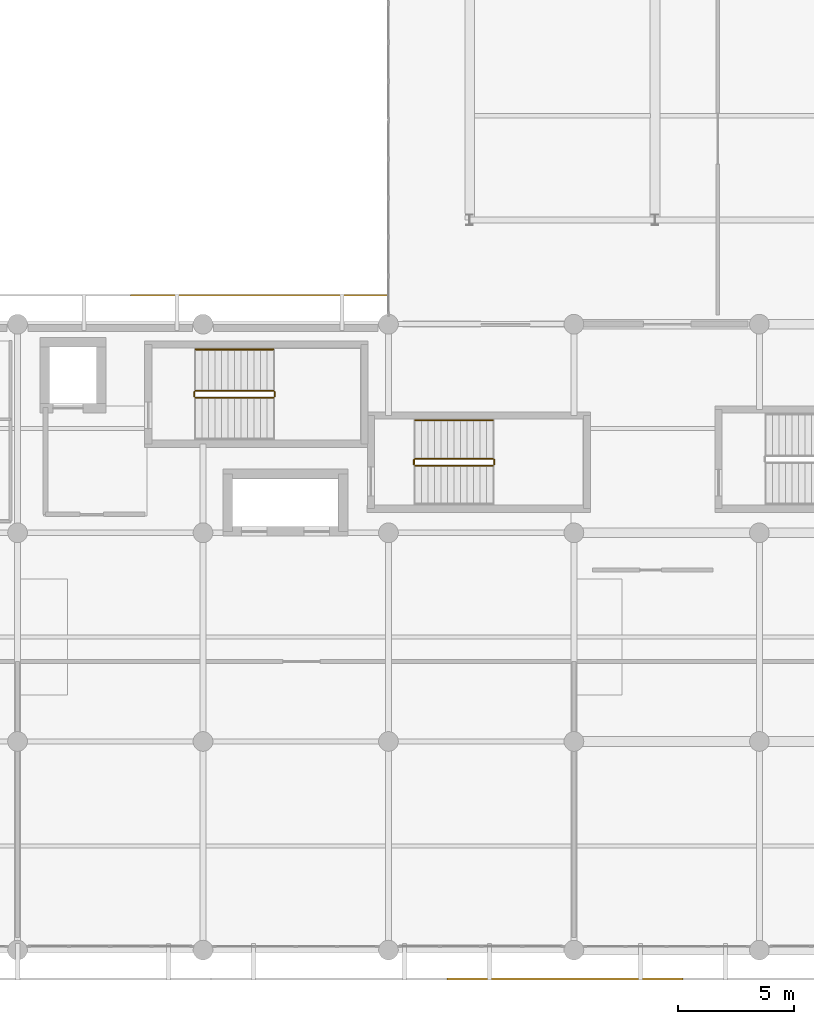
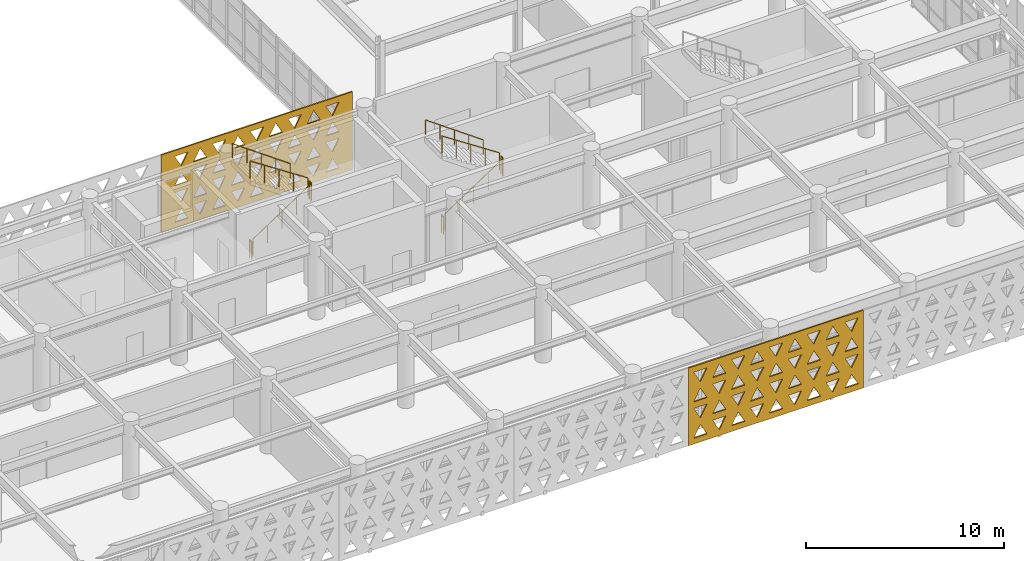
# One storey, part 48 of 54: 10 railings, 2 coverings.
"""IFC4 building model written with IfcOpenShell, lengths in metres."""

import ifcopenshell
import ifcopenshell.guid

model = None  # the IFC model being written
_history = None  # IfcOwnerHistory: only IFC2X3 demands one
_inside = {}  # id of a spatial element -> (the spatial element, [elements in it])
_under = {}  # id of a project, library or spatial element -> (it, [spatial elements below it])
_declared = {}  # id of a project -> (the project, [libraries it declares])
_typed = {}  # id of a type object -> (the type object, [elements of that type])
_made_of = {}  # id of a material, layer set ... -> (it, [elements and type objects made of it])


def new_model(schema):
    """Start an empty IFC model of exactly this schema.

    Asked for "IFC4X3", IfcOpenShell would pick the latest addendum, in which some entities
    have other attributes; the version numbers below select the first issue.
    IFC2X3 requires an IfcOwnerHistory on every rooted entity: one is made here for all.
    """
    global model, _history
    if schema == "IFC4X3":
        model = ifcopenshell.file(schema_version=(4, 3, 0, 0))
    else:
        model = ifcopenshell.file(schema=schema)
    _inside.clear()
    _under.clear()
    _declared.clear()
    _typed.clear()
    _made_of.clear()
    _history = None
    if model.schema == "IFC2X3":
        org = make("IfcOrganization", Name="unknown")
        user = make(
            "IfcPersonAndOrganization",
            ThePerson=make("IfcPerson", FamilyName="unknown"),
            TheOrganization=org,
        )
        app = make(
            "IfcApplication",
            ApplicationDeveloper=org,
            Version="unknown",
            ApplicationFullName="unknown",
            ApplicationIdentifier="unknown",
        )
        _history = make(
            "IfcOwnerHistory",
            OwningUser=user,
            OwningApplication=app,
            ChangeAction="ADDED",
            CreationDate=0,
        )
    return model


def make(cls, **values):
    """One entity of the class cls with the attributes given. An attribute that is None is left unset."""
    return model.create_entity(
        cls, **{name: value for name, value in values.items() if value is not None}
    )


def rooted(cls, **values):
    """An entity with a GlobalId (a new one), such as an element, a storey or a relation."""
    return make(cls, GlobalId=ifcopenshell.guid.new(), OwnerHistory=_history, **values)


def si_unit(unit_type, name, prefix=None):
    """IfcSIUnit, for example si_unit("LENGTHUNIT", "METRE", prefix="MILLI")."""
    return make("IfcSIUnit", UnitType=unit_type, Prefix=prefix, Name=name)


def assignment(units):
    """IfcUnitAssignment: the units of a project."""
    return None if units is None else make("IfcUnitAssignment", Units=units)


def point(xyz):
    """IfcCartesianPoint."""
    return None if xyz is None else make("IfcCartesianPoint", Coordinates=xyz)


def direction(xyz):
    """IfcDirection."""
    return None if xyz is None else make("IfcDirection", DirectionRatios=xyz)


def frame(location, z_axis=None, x_axis=None):
    """IfcAxis2Placement3D, a coordinate frame: its origin and axes. An axis left out is left unset."""
    return make(
        "IfcAxis2Placement3D",
        Location=point(location),
        Axis=direction(z_axis),
        RefDirection=direction(x_axis),
    )


def frame_2d(location, x_axis=None):
    """IfcAxis2Placement2D, a coordinate frame in the plane: its origin and x axis."""
    return make(
        "IfcAxis2Placement2D", Location=point(location), RefDirection=direction(x_axis)
    )


def origin():
    """The frame at (0, 0, 0) with its axes left unset."""
    return frame((0.0, 0.0, 0.0))


def origin_2d():
    """The frame at (0, 0) in the plane with its x axis left unset."""
    return frame_2d((0.0, 0.0))


def place(relative_to, where):
    """IfcLocalPlacement: puts the frame where relative to a parent placement (None: the world)."""
    return make(
        "IfcLocalPlacement", PlacementRelTo=relative_to, RelativePlacement=where
    )


def context(
    kind, dimensions, precision=None, world=None, true_north=None, identifier=None
):
    """IfcGeometricRepresentationContext, for example the 3D "Model" context."""
    return make(
        "IfcGeometricRepresentationContext",
        ContextIdentifier=identifier,
        ContextType=kind,
        CoordinateSpaceDimension=dimensions,
        Precision=precision,
        WorldCoordinateSystem=world,
        TrueNorth=true_north,
    )


def subcontext(parent, identifier, kind, view, scale=None):
    """IfcGeometricRepresentationSubContext, for example "Body" below "Model"."""
    return make(
        "IfcGeometricRepresentationSubContext",
        ContextIdentifier=identifier,
        ContextType=kind,
        ParentContext=parent,
        TargetScale=scale,
        TargetView=view,
    )


def project(units=None, contexts=None):
    """IfcProject with its units and contexts."""
    return rooted(
        "IfcProject",
        Name="project",
        RepresentationContexts=contexts,
        UnitsInContext=assignment(units),
    )


def spatial(cls, under=None, at=None, **own):
    """A site, building, storey or space (cls), placed at a placement, below another one or the project."""
    s = rooted(cls, ObjectPlacement=at, **own)
    if under is not None:
        _under.setdefault(under.id(), (under, []))[1].append(s)
    return s


def polyline(points):
    """IfcPolyline through the points."""
    return make("IfcPolyline", Points=[point(p) for p in points])


def profile(cls, at=None, kind="AREA", **sizes):
    """A parametric profile (cls). Its sizes go by their IFC names, for example OverallWidth=200.0."""
    return make(cls, ProfileType=kind, Position=at, **sizes)


def circle(**sizes):
    """IfcCircleProfileDef."""
    return profile("IfcCircleProfileDef", **sizes)


def outline(outer, holes=None, kind="AREA"):
    """IfcArbitraryClosedProfileDef: a profile drawn as a closed curve; with holes, ...WithVoids."""
    if holes is None:
        return make("IfcArbitraryClosedProfileDef", ProfileType=kind, OuterCurve=outer)
    return make(
        "IfcArbitraryProfileDefWithVoids",
        ProfileType=kind,
        OuterCurve=outer,
        InnerCurves=holes,
    )


def extrude(swept, where, along, depth):
    """IfcExtrudedAreaSolid: the profile swept, set in the frame where, extruded along a direction by depth."""
    return make(
        "IfcExtrudedAreaSolid",
        SweptArea=swept,
        Position=where,
        ExtrudedDirection=direction(along),
        Depth=depth,
    )


def shape(context_of_items, identifier, shape_type, items):
    """IfcShapeRepresentation: the items that make up one representation, for example the "Body"."""
    return make(
        "IfcShapeRepresentation",
        ContextOfItems=context_of_items,
        RepresentationIdentifier=identifier,
        RepresentationType=shape_type,
        Items=items,
    )


def material(Name=None, Category=None):
    """IfcMaterial."""
    return make("IfcMaterial", Name=Name, Category=Category)


def layer(
    of_material, thickness, ventilated=None, Name=None, Category=None, Priority=None
):
    """IfcMaterialLayer: one layer of a wall or slab, of a material (None: an air gap)."""
    return make(
        "IfcMaterialLayer",
        Material=of_material,
        LayerThickness=thickness,
        IsVentilated=ventilated,
        Name=Name,
        Category=Category,
        Priority=Priority,
    )


def layer_set(layers, Name=None):
    """IfcMaterialLayerSet."""
    return make("IfcMaterialLayerSet", MaterialLayers=layers, LayerSetName=Name)


def made_of(thing, what):
    """Note that an element or type object is made of a material, layer set ...; save() writes the relation."""
    if what is not None:
        _made_of.setdefault(what.id(), (what, []))[1].append(thing)
    return thing


def type_object(cls, material=None, **own):
    """A type object (cls), such as IfcWallType, which elements share."""
    return made_of(rooted(cls, **own), material)


def element(
    cls,
    number,
    at=None,
    inside=None,
    cuts=None,
    type_object=None,
    material=None,
    context=None,
    identifier="Body",
    shape_type=None,
    held_by="IfcProductDefinitionShape",
    body=None,
    shapes=None,
    **own,
):
    """One element of the class cls, such as IfcWall. Its Tag is "e" and its number.

    at: its placement. inside: the storey or other place that contains it. cuts: it is an
    opening in that element (IfcRelVoidsElement). A single representation is given by context,
    identifier, shape_type and body (its items); several are given by shapes. held_by: the class
    of the entity that holds the representations. save() writes the other relations.
    """
    e = rooted(cls, Tag="e%d" % number, ObjectPlacement=at, **own)
    if body is not None:
        shapes = [shape(context, identifier, shape_type, body)]
    if shapes is not None:
        e.Representation = make(held_by, Representations=shapes)
    if inside is not None:
        _inside.setdefault(inside.id(), (inside, []))[1].append(e)
    if cuts is not None:
        rooted(
            "IfcRelVoidsElement", RelatingBuildingElement=cuts, RelatedOpeningElement=e
        )
    if type_object is not None:
        _typed.setdefault(type_object.id(), (type_object, []))[1].append(e)
    return made_of(e, material)


def aggregate(whole, parts):
    """IfcRelAggregates: a whole, such as a stair, and the parts it consists of."""
    return rooted("IfcRelAggregates", RelatingObject=whole, RelatedObjects=parts)


def save(model, path):
    """Write the relations noted so far, then the file.

    IfcRelAggregates (storeys below a building ...), IfcRelContainedInSpatialStructure (elements
    in a storey), IfcRelDefinesByType, IfcRelAssociatesMaterial and IfcRelDeclares: one each for
    every whole, place, type object, material and project.
    """
    for whole, parts in _under.values():
        aggregate(whole, parts)
    for where, things in _inside.values():
        rooted(
            "IfcRelContainedInSpatialStructure",
            RelatedElements=things,
            RelatingStructure=where,
        )
    for kind, things in _typed.values():
        rooted("IfcRelDefinesByType", RelatedObjects=things, RelatingType=kind)
    for what, things in _made_of.values():
        rooted("IfcRelAssociatesMaterial", RelatedObjects=things, RelatingMaterial=what)
    for by, libraries in _declared.values():
        rooted("IfcRelDeclares", RelatingContext=by, RelatedDefinitions=libraries)
    model.write(path)


model = new_model("IFC4")

# Units and contexts
model_context = context("Model", 3, precision=1e-05, world=origin(), true_north=direction((0.0, 1.0)))
body_context = subcontext(model_context, "Body", "Model", "MODEL_VIEW")
ifc_project = project(units=[si_unit("LENGTHUNIT", "METRE"), si_unit("AREAUNIT", "SQUARE_METRE"), si_unit("VOLUMEUNIT", "CUBIC_METRE"), si_unit("PLANEANGLEUNIT", "RADIAN"), si_unit("MASSUNIT", "GRAM", prefix="KILO")], contexts=[model_context])

# Site, building, storey
site_placement = place(None, origin())
site = spatial("IfcSite", under=ifc_project, at=site_placement, CompositionType="ELEMENT")
building_placement = place(site_placement, origin())
building = spatial("IfcBuilding", under=site, at=building_placement, Name="Tlacozan Convention Centre", CompositionType="ELEMENT")
storey_placement = place(building_placement, frame((0.0, 0.0, 11.39990234375)))
storey = spatial("IfcBuildingStorey", under=building, at=storey_placement, Name="L02", CompositionType="ELEMENT", Elevation=11.39990234375)

# Railings
ifc_material_1 = material(Name="Architectural Painted Galvanised Steel Railing", Category="steel")
railing_type_1 = type_object("IfcRailingType", Name="Stair Wall Handrail 900", PredefinedType="HANDRAIL", material=ifc_material_1)
for number, where, name in (
    (1, (83.0400390625, 25.909912109375, 2.584716796875), "L02 ST-02 stair handrail 2"),
    (2, (92.510009765625, 22.85009765625, 2.584716796875), "L02 ST-15 stair handrail 2"),
):
    element("IfcRailing", number, at=place(storey_placement, frame(where)), inside=storey, type_object=railing_type_1, Name=name, PredefinedType="HANDRAIL", context=body_context, shape_type="SweptSolid", body=[
        extrude(circle(Radius=0.02392578125, at=origin_2d()), frame((0.0, 0.0, 0.8759765625), z_axis=(-0.813753445783, 0.0, 0.581210228297), x_axis=(0.0, -1.0, 0.0)), (0.0, 0.0, 1.0), 4.129150390625),
        extrude(circle(Radius=0.02099609375, at=origin_2d()), origin(), (0.0, 0.0, 1.0), 0.851806640625),
        extrude(circle(Radius=0.02099609375, at=origin_2d()), frame((-0.840087890625, 0.0, 0.60009765625)), (0.0, 0.0, 1.0), 0.851806640625),
        extrude(circle(Radius=0.02099609375, at=origin_2d()), frame((-1.68017578125, 0.0, 1.199951171875)), (0.0, 0.0, 1.0), 0.851806640625),
        extrude(circle(Radius=0.02099609375, at=origin_2d()), frame((-2.52001953125, 0.0, 1.7998046875)), (0.0, 0.0, 1.0), 0.851806640625),
        extrude(circle(Radius=0.02099609375, at=origin_2d()), frame((-3.360107421875, 0.0, 2.39990234375)), (0.0, 0.0, 1.0), 0.851806640625),
    ])
railing_type_2 = type_object("IfcRailingType", Name="Stair Well Guardrail 1100", PredefinedType="GUARDRAIL", material=ifc_material_1)
railing_1_placement = place(storey_placement, frame((79.679931640625, 23.830078125, 0.184814453125)))
element("IfcRailing", 3, at=railing_1_placement, inside=storey, type_object=railing_type_2, Name="L02 ST-02 stair guard 1", PredefinedType="GUARDRAIL", context=body_context, shape_type="SweptSolid", body=[
    extrude(circle(Radius=0.02392578125, at=origin_2d()), frame((0.0, 0.0, 1.076171875), z_axis=(0.834876476806, 0.0, 0.550437342915), x_axis=(0.0, 1.0, 0.0)), (0.0, 0.0, 1.0), 4.024658203125),
    extrude(circle(Radius=0.02099609375, at=origin_2d()), origin(), (0.0, 0.0, 1.0), 1.052001953125),
    extrude(circle(Radius=0.02099609375, at=origin_2d()), frame((0.840087890625, 0.0, 0.5537109375)), (0.0, 0.0, 1.0), 1.052001953125),
    extrude(circle(Radius=0.02099609375, at=origin_2d()), frame((1.68017578125, 0.0, 1.107666015625)), (0.0, 0.0, 1.0), 1.052001953125),
    extrude(circle(Radius=0.02099609375, at=origin_2d()), frame((2.52001953125, 0.0, 1.66162109375)), (0.0, 0.0, 1.0), 1.052001953125),
    extrude(circle(Radius=0.02099609375, at=origin_2d()), frame((3.360107421875, 0.0, 2.21533203125)), (0.0, 0.0, 1.0), 1.052001953125),
])
railing_2_placement = place(storey_placement, frame((83.090087890625, 23.8798828125, 2.400146484375)))
element("IfcRailing", 4, at=railing_2_placement, inside=storey, type_object=railing_type_2, Name="L02 ST-02 stair guard 2", PredefinedType="GUARDRAIL", context=body_context, shape_type="SweptSolid", body=[
    extrude(circle(Radius=0.02392578125, at=origin_2d()), frame((0.0, 0.0, 1.076171875), z_axis=(0.0, 1.0, 0.0), x_axis=(-1.0, 0.0, 0.0)), (0.0, 0.0, 1.0), 0.2001953125),
    extrude(circle(Radius=0.02099609375, at=origin_2d()), origin(), (0.0, 0.0, 1.0), 1.052001953125),
    extrude(circle(Radius=0.02099609375, at=origin_2d()), frame((0.0, 0.2001953125, 0.0)), (0.0, 0.0, 1.0), 1.052001953125),
])
railing_3_placement = place(storey_placement, frame((83.0400390625, 24.1298828125, 2.584716796875)))
element("IfcRailing", 5, at=railing_3_placement, inside=storey, type_object=railing_type_2, Name="L02 ST-02 stair guard 3", PredefinedType="GUARDRAIL", context=body_context, shape_type="SweptSolid", body=[
    extrude(circle(Radius=0.02392578125, at=origin_2d()), frame((0.0, 0.0, 1.076171875), z_axis=(-0.834876476806, 0.0, 0.550437342915), x_axis=(0.0, -1.0, 0.0)), (0.0, 0.0, 1.0), 4.024658203125),
    extrude(circle(Radius=0.02099609375, at=origin_2d()), origin(), (0.0, 0.0, 1.0), 1.052001953125),
    extrude(circle(Radius=0.02099609375, at=origin_2d()), frame((-0.840087890625, 0.0, 0.5537109375)), (0.0, 0.0, 1.0), 1.052001953125),
    extrude(circle(Radius=0.02099609375, at=origin_2d()), frame((-1.68017578125, 0.0, 1.107666015625)), (0.0, 0.0, 1.0), 1.052001953125),
    extrude(circle(Radius=0.02099609375, at=origin_2d()), frame((-2.52001953125, 0.0, 1.66162109375)), (0.0, 0.0, 1.0), 1.052001953125),
    extrude(circle(Radius=0.02099609375, at=origin_2d()), frame((-3.360107421875, 0.0, 2.21533203125)), (0.0, 0.0, 1.0), 1.052001953125),
])
railing_4_placement = place(storey_placement, frame((79.6298828125, 23.8798828125, 0.0)))
element("IfcRailing", 6, at=railing_4_placement, inside=storey, type_object=railing_type_2, Name="L02 ST-02 stair guard 4", PredefinedType="GUARDRAIL", context=body_context, shape_type="SweptSolid", body=[
    extrude(circle(Radius=0.02392578125, at=origin_2d()), frame((0.0, 0.0, 1.076171875), z_axis=(0.0, 1.0, 0.0), x_axis=(-1.0, 0.0, 0.0)), (0.0, 0.0, 1.0), 0.2001953125),
    extrude(circle(Radius=0.02099609375, at=origin_2d()), origin(), (0.0, 0.0, 1.0), 1.052001953125),
    extrude(circle(Radius=0.02099609375, at=origin_2d()), frame((0.0, 0.2001953125, 0.0)), (0.0, 0.0, 1.0), 1.052001953125),
])
railing_5_placement = place(storey_placement, frame((89.14990234375, 20.89990234375, 0.184814453125)))
element("IfcRailing", 7, at=railing_5_placement, inside=storey, type_object=railing_type_2, Name="L02 ST-15 stair guard 1", PredefinedType="GUARDRAIL", context=body_context, shape_type="SweptSolid", body=[
    extrude(circle(Radius=0.02392578125, at=origin_2d()), frame((0.0, 0.0, 1.076171875), z_axis=(0.834876476806, 0.0, 0.550437342915), x_axis=(0.0, 1.0, 0.0)), (0.0, 0.0, 1.0), 4.024658203125),
    extrude(circle(Radius=0.02099609375, at=origin_2d()), origin(), (0.0, 0.0, 1.0), 1.052001953125),
    extrude(circle(Radius=0.02099609375, at=origin_2d()), frame((0.840087890625, 0.0, 0.5537109375)), (0.0, 0.0, 1.0), 1.052001953125),
    extrude(circle(Radius=0.02099609375, at=origin_2d()), frame((1.68017578125, 0.0, 1.107666015625)), (0.0, 0.0, 1.0), 1.052001953125),
    extrude(circle(Radius=0.02099609375, at=origin_2d()), frame((2.52001953125, 0.0, 1.66162109375)), (0.0, 0.0, 1.0), 1.052001953125),
    extrude(circle(Radius=0.02099609375, at=origin_2d()), frame((3.360107421875, 0.0, 2.21533203125)), (0.0, 0.0, 1.0), 1.052001953125),
])
railing_6_placement = place(storey_placement, frame((92.56005859375, 20.949951171875, 2.400146484375)))
element("IfcRailing", 8, at=railing_6_placement, inside=storey, type_object=railing_type_2, Name="L02 ST-15 stair guard 2", PredefinedType="GUARDRAIL", context=body_context, shape_type="SweptSolid", body=[
    extrude(circle(Radius=0.02392578125, at=origin_2d()), frame((0.0, 0.0, 1.076171875), z_axis=(0.0, 1.0, 0.0), x_axis=(-1.0, 0.0, 0.0)), (0.0, 0.0, 1.0), 0.199951171875),
    extrude(circle(Radius=0.02099609375, at=origin_2d()), origin(), (0.0, 0.0, 1.0), 1.052001953125),
    extrude(circle(Radius=0.02099609375, at=origin_2d()), frame((0.0, 0.199951171875, 0.0)), (0.0, 0.0, 1.0), 1.052001953125),
])
railing_7_placement = place(storey_placement, frame((92.510009765625, 21.199951171875, 2.584716796875)))
element("IfcRailing", 9, at=railing_7_placement, inside=storey, type_object=railing_type_2, Name="L02 ST-15 stair guard 3", PredefinedType="GUARDRAIL", context=body_context, shape_type="SweptSolid", body=[
    extrude(circle(Radius=0.02392578125, at=origin_2d()), frame((0.0, 0.0, 1.076171875), z_axis=(-0.834876476806, 0.0, 0.550437342915), x_axis=(0.0, -1.0, 0.0)), (0.0, 0.0, 1.0), 4.024658203125),
    extrude(circle(Radius=0.02099609375, at=origin_2d()), origin(), (0.0, 0.0, 1.0), 1.052001953125),
    extrude(circle(Radius=0.02099609375, at=origin_2d()), frame((-0.840087890625, 0.0, 0.5537109375)), (0.0, 0.0, 1.0), 1.052001953125),
    extrude(circle(Radius=0.02099609375, at=origin_2d()), frame((-1.68017578125, 0.0, 1.107666015625)), (0.0, 0.0, 1.0), 1.052001953125),
    extrude(circle(Radius=0.02099609375, at=origin_2d()), frame((-2.52001953125, 0.0, 1.66162109375)), (0.0, 0.0, 1.0), 1.052001953125),
    extrude(circle(Radius=0.02099609375, at=origin_2d()), frame((-3.360107421875, 0.0, 2.21533203125)), (0.0, 0.0, 1.0), 1.052001953125),
])
railing_8_placement = place(storey_placement, frame((89.10009765625, 20.949951171875, 0.0)))
element("IfcRailing", 10, at=railing_8_placement, inside=storey, type_object=railing_type_2, Name="L02 ST-15 stair guard 4", PredefinedType="GUARDRAIL", context=body_context, shape_type="SweptSolid", body=[
    extrude(circle(Radius=0.02392578125, at=origin_2d()), frame((0.0, 0.0, 1.076171875), z_axis=(0.0, 1.0, 0.0), x_axis=(-1.0, 0.0, 0.0)), (0.0, 0.0, 1.0), 0.199951171875),
    extrude(circle(Radius=0.02099609375, at=origin_2d()), origin(), (0.0, 0.0, 1.0), 1.052001953125),
    extrude(circle(Radius=0.02099609375, at=origin_2d()), frame((0.0, 0.199951171875, 0.0)), (0.0, 0.0, 1.0), 1.052001953125),
])

# Coverings
ifc_material_2 = material(Name="Toluca Fired Terracotta Masonry Solar Screen", Category="masonry")
ifc_layer = layer(ifc_material_2, 0.080078125)
ifc_layer_set = layer_set([ifc_layer], Name="Toluca Fired Terracotta Masonry Solar Screen")
covering_type = type_object("IfcCoveringType", Name="Terracotta Triangle Solar Screen 80", PredefinedType="USERDEFINED", material=ifc_layer_set)
covering_1_placement = place(storey_placement, frame((90.527099609375, -1.25, -0.02978515625), z_axis=(0.0, 0.0, 1.0), x_axis=(1.0, 0.0, 0.0)))
element("IfcCovering", 11, at=covering_1_placement, inside=storey, type_object=covering_type, Name="L02 Terracotta Triangle Screen 34", ObjectType="SCREEN", PredefinedType="USERDEFINED", context=body_context, shape_type="SweptSolid", body=[
    extrude(outline(polyline([(0.0, 0.0), (10.1708984375, 0.0), (10.1708984375, 4.77978515625), (0.0, 4.77978515625), (0.0, 0.0)]), holes=[polyline([(0.29931640625, 0.360107421875), (1.071533203125, 0.360107421875), (0.685546875, 1.074951171875), (0.29931640625, 0.360107421875)]), polyline([(1.3994140625, 1.074951171875), (2.17138671875, 1.074951171875), (1.785400390625, 0.360107421875), (1.3994140625, 1.074951171875)]), polyline([(2.49951171875, 0.360107421875), (3.271484375, 0.360107421875), (2.885498046875, 1.074951171875), (2.49951171875, 0.360107421875)]), polyline([(3.599365234375, 1.074951171875), (4.37158203125, 1.074951171875), (3.9853515625, 0.360107421875), (3.599365234375, 1.074951171875)]), polyline([(4.699462890625, 0.360107421875), (5.471435546875, 0.360107421875), (5.08544921875, 1.074951171875), (4.699462890625, 0.360107421875)]), polyline([(5.79931640625, 1.074951171875), (6.571533203125, 1.074951171875), (6.185546875, 0.360107421875), (5.79931640625, 1.074951171875)]), polyline([(6.8994140625, 0.360107421875), (7.67138671875, 0.360107421875), (7.285400390625, 1.074951171875), (6.8994140625, 0.360107421875)]), polyline([(7.99951171875, 1.074951171875), (8.771484375, 1.074951171875), (8.385498046875, 0.360107421875), (7.99951171875, 1.074951171875)]), polyline([(9.099365234375, 0.360107421875), (9.87158203125, 0.360107421875), (9.4853515625, 1.074951171875), (9.099365234375, 0.360107421875)]), polyline([(0.29931640625, 2.18994140625), (1.071533203125, 2.18994140625), (0.685546875, 1.47509765625), (0.29931640625, 2.18994140625)]), polyline([(1.3994140625, 1.47509765625), (2.17138671875, 1.47509765625), (1.785400390625, 2.18994140625), (1.3994140625, 1.47509765625)]), polyline([(2.49951171875, 2.18994140625), (3.271484375, 2.18994140625), (2.885498046875, 1.47509765625), (2.49951171875, 2.18994140625)]), polyline([(3.599365234375, 1.47509765625), (4.37158203125, 1.47509765625), (3.9853515625, 2.18994140625), (3.599365234375, 1.47509765625)]), polyline([(4.699462890625, 2.18994140625), (5.471435546875, 2.18994140625), (5.08544921875, 1.47509765625), (4.699462890625, 2.18994140625)]), polyline([(5.79931640625, 1.47509765625), (6.571533203125, 1.47509765625), (6.185546875, 2.18994140625), (5.79931640625, 1.47509765625)]), polyline([(6.8994140625, 2.18994140625), (7.67138671875, 2.18994140625), (7.285400390625, 1.47509765625), (6.8994140625, 2.18994140625)]), polyline([(7.99951171875, 1.47509765625), (8.771484375, 1.47509765625), (8.385498046875, 2.18994140625), (7.99951171875, 1.47509765625)]), polyline([(9.099365234375, 2.18994140625), (9.87158203125, 2.18994140625), (9.4853515625, 1.47509765625), (9.099365234375, 2.18994140625)]), polyline([(0.29931640625, 2.58984375), (1.071533203125, 2.58984375), (0.685546875, 3.3046875), (0.29931640625, 2.58984375)]), polyline([(1.3994140625, 3.3046875), (2.17138671875, 3.3046875), (1.785400390625, 2.58984375), (1.3994140625, 3.3046875)]), polyline([(2.49951171875, 2.58984375), (3.271484375, 2.58984375), (2.885498046875, 3.3046875), (2.49951171875, 2.58984375)]), polyline([(3.599365234375, 3.3046875), (4.37158203125, 3.3046875), (3.9853515625, 2.58984375), (3.599365234375, 3.3046875)]), polyline([(4.699462890625, 2.58984375), (5.471435546875, 2.58984375), (5.08544921875, 3.3046875), (4.699462890625, 2.58984375)]), polyline([(5.79931640625, 3.3046875), (6.571533203125, 3.3046875), (6.185546875, 2.58984375), (5.79931640625, 3.3046875)]), polyline([(6.8994140625, 2.58984375), (7.67138671875, 2.58984375), (7.285400390625, 3.3046875), (6.8994140625, 2.58984375)]), polyline([(7.99951171875, 3.3046875), (8.771484375, 3.3046875), (8.385498046875, 2.58984375), (7.99951171875, 3.3046875)]), polyline([(9.099365234375, 2.58984375), (9.87158203125, 2.58984375), (9.4853515625, 3.3046875), (9.099365234375, 2.58984375)]), polyline([(0.29931640625, 4.419677734375), (1.071533203125, 4.419677734375), (0.685546875, 3.704833984375), (0.29931640625, 4.419677734375)]), polyline([(1.3994140625, 3.704833984375), (2.17138671875, 3.704833984375), (1.785400390625, 4.419677734375), (1.3994140625, 3.704833984375)]), polyline([(2.49951171875, 4.419677734375), (3.271484375, 4.419677734375), (2.885498046875, 3.704833984375), (2.49951171875, 4.419677734375)]), polyline([(3.599365234375, 3.704833984375), (4.37158203125, 3.704833984375), (3.9853515625, 4.419677734375), (3.599365234375, 3.704833984375)]), polyline([(4.699462890625, 4.419677734375), (5.471435546875, 4.419677734375), (5.08544921875, 3.704833984375), (4.699462890625, 4.419677734375)]), polyline([(5.79931640625, 3.704833984375), (6.571533203125, 3.704833984375), (6.185546875, 4.419677734375), (5.79931640625, 3.704833984375)]), polyline([(6.8994140625, 4.419677734375), (7.67138671875, 4.419677734375), (7.285400390625, 3.704833984375), (6.8994140625, 4.419677734375)]), polyline([(7.99951171875, 3.704833984375), (8.771484375, 3.704833984375), (8.385498046875, 4.419677734375), (7.99951171875, 3.704833984375)]), polyline([(9.099365234375, 4.419677734375), (9.87158203125, 4.419677734375), (9.4853515625, 3.704833984375), (9.099365234375, 4.419677734375)])]), frame((0.0, 0.0400390625, 0.0), z_axis=(0.0, -1.0, 0.0), x_axis=(1.0, 0.0, 0.0)), (0.0, 0.0, 1.0), 0.080078125),
])
covering_2_placement = place(storey_placement, frame((76.870849609375, 28.25, -0.02978515625), z_axis=(0.0, 0.0, 1.0), x_axis=(1.0, 0.0, 0.0)))
element("IfcCovering", 12, at=covering_2_placement, inside=storey, type_object=covering_type, Name="L02 Terracotta Triangle Screen 50", ObjectType="SCREEN", PredefinedType="USERDEFINED", context=body_context, shape_type="SweptSolid", body=[
    extrude(outline(polyline([(0.0, 0.0), (11.127197265625, 0.0), (11.127197265625, 4.77978515625), (0.0, 4.77978515625), (0.0, 0.0)]), holes=[polyline([(0.777587890625, 0.360107421875), (1.549560546875, 0.360107421875), (1.16357421875, 1.074951171875), (0.777587890625, 0.360107421875)]), polyline([(1.877685546875, 1.074951171875), (2.649658203125, 1.074951171875), (2.263671875, 0.360107421875), (1.877685546875, 1.074951171875)]), polyline([(2.9775390625, 0.360107421875), (3.74951171875, 0.360107421875), (3.363525390625, 1.074951171875), (2.9775390625, 0.360107421875)]), polyline([(4.07763671875, 1.074951171875), (4.849609375, 1.074951171875), (4.463623046875, 0.360107421875), (4.07763671875, 1.074951171875)]), polyline([(5.177490234375, 0.360107421875), (5.94970703125, 0.360107421875), (5.5634765625, 1.074951171875), (5.177490234375, 0.360107421875)]), polyline([(6.277587890625, 1.074951171875), (7.049560546875, 1.074951171875), (6.66357421875, 0.360107421875), (6.277587890625, 1.074951171875)]), polyline([(7.377685546875, 0.360107421875), (8.149658203125, 0.360107421875), (7.763671875, 1.074951171875), (7.377685546875, 0.360107421875)]), polyline([(8.4775390625, 1.074951171875), (9.24951171875, 1.074951171875), (8.863525390625, 0.360107421875), (8.4775390625, 1.074951171875)]), polyline([(9.57763671875, 0.360107421875), (10.349609375, 0.360107421875), (9.963623046875, 1.074951171875), (9.57763671875, 0.360107421875)]), polyline([(0.777587890625, 2.18994140625), (1.549560546875, 2.18994140625), (1.16357421875, 1.47509765625), (0.777587890625, 2.18994140625)]), polyline([(1.877685546875, 1.47509765625), (2.649658203125, 1.47509765625), (2.263671875, 2.18994140625), (1.877685546875, 1.47509765625)]), polyline([(2.9775390625, 2.18994140625), (3.74951171875, 2.18994140625), (3.363525390625, 1.47509765625), (2.9775390625, 2.18994140625)]), polyline([(4.07763671875, 1.47509765625), (4.849609375, 1.47509765625), (4.463623046875, 2.18994140625), (4.07763671875, 1.47509765625)]), polyline([(5.177490234375, 2.18994140625), (5.94970703125, 2.18994140625), (5.5634765625, 1.47509765625), (5.177490234375, 2.18994140625)]), polyline([(6.277587890625, 1.47509765625), (7.049560546875, 1.47509765625), (6.66357421875, 2.18994140625), (6.277587890625, 1.47509765625)]), polyline([(7.377685546875, 2.18994140625), (8.149658203125, 2.18994140625), (7.763671875, 1.47509765625), (7.377685546875, 2.18994140625)]), polyline([(8.4775390625, 1.47509765625), (9.24951171875, 1.47509765625), (8.863525390625, 2.18994140625), (8.4775390625, 1.47509765625)]), polyline([(9.57763671875, 2.18994140625), (10.349609375, 2.18994140625), (9.963623046875, 1.47509765625), (9.57763671875, 2.18994140625)]), polyline([(0.777587890625, 2.58984375), (1.549560546875, 2.58984375), (1.16357421875, 3.3046875), (0.777587890625, 2.58984375)]), polyline([(1.877685546875, 3.3046875), (2.649658203125, 3.3046875), (2.263671875, 2.58984375), (1.877685546875, 3.3046875)]), polyline([(2.9775390625, 2.58984375), (3.74951171875, 2.58984375), (3.363525390625, 3.3046875), (2.9775390625, 2.58984375)]), polyline([(4.07763671875, 3.3046875), (4.849609375, 3.3046875), (4.463623046875, 2.58984375), (4.07763671875, 3.3046875)]), polyline([(5.177490234375, 2.58984375), (5.94970703125, 2.58984375), (5.5634765625, 3.3046875), (5.177490234375, 2.58984375)]), polyline([(6.277587890625, 3.3046875), (7.049560546875, 3.3046875), (6.66357421875, 2.58984375), (6.277587890625, 3.3046875)]), polyline([(7.377685546875, 2.58984375), (8.149658203125, 2.58984375), (7.763671875, 3.3046875), (7.377685546875, 2.58984375)]), polyline([(8.4775390625, 3.3046875), (9.24951171875, 3.3046875), (8.863525390625, 2.58984375), (8.4775390625, 3.3046875)]), polyline([(9.57763671875, 2.58984375), (10.349609375, 2.58984375), (9.963623046875, 3.3046875), (9.57763671875, 2.58984375)]), polyline([(0.777587890625, 4.419677734375), (1.549560546875, 4.419677734375), (1.16357421875, 3.704833984375), (0.777587890625, 4.419677734375)]), polyline([(1.877685546875, 3.704833984375), (2.649658203125, 3.704833984375), (2.263671875, 4.419677734375), (1.877685546875, 3.704833984375)]), polyline([(2.9775390625, 4.419677734375), (3.74951171875, 4.419677734375), (3.363525390625, 3.704833984375), (2.9775390625, 4.419677734375)]), polyline([(4.07763671875, 3.704833984375), (4.849609375, 3.704833984375), (4.463623046875, 4.419677734375), (4.07763671875, 3.704833984375)]), polyline([(5.177490234375, 4.419677734375), (5.94970703125, 4.419677734375), (5.5634765625, 3.704833984375), (5.177490234375, 4.419677734375)]), polyline([(6.277587890625, 3.704833984375), (7.049560546875, 3.704833984375), (6.66357421875, 4.419677734375), (6.277587890625, 3.704833984375)]), polyline([(7.377685546875, 4.419677734375), (8.149658203125, 4.419677734375), (7.763671875, 3.704833984375), (7.377685546875, 4.419677734375)]), polyline([(8.4775390625, 3.704833984375), (9.24951171875, 3.704833984375), (8.863525390625, 4.419677734375), (8.4775390625, 3.704833984375)]), polyline([(9.57763671875, 4.419677734375), (10.349609375, 4.419677734375), (9.963623046875, 3.704833984375), (9.57763671875, 4.419677734375)])]), frame((0.0, 0.0400390625, 0.0), z_axis=(0.0, -1.0, 0.0), x_axis=(1.0, 0.0, 0.0)), (0.0, 0.0, 1.0), 0.080078125),
])

save(model, "model.ifc")
